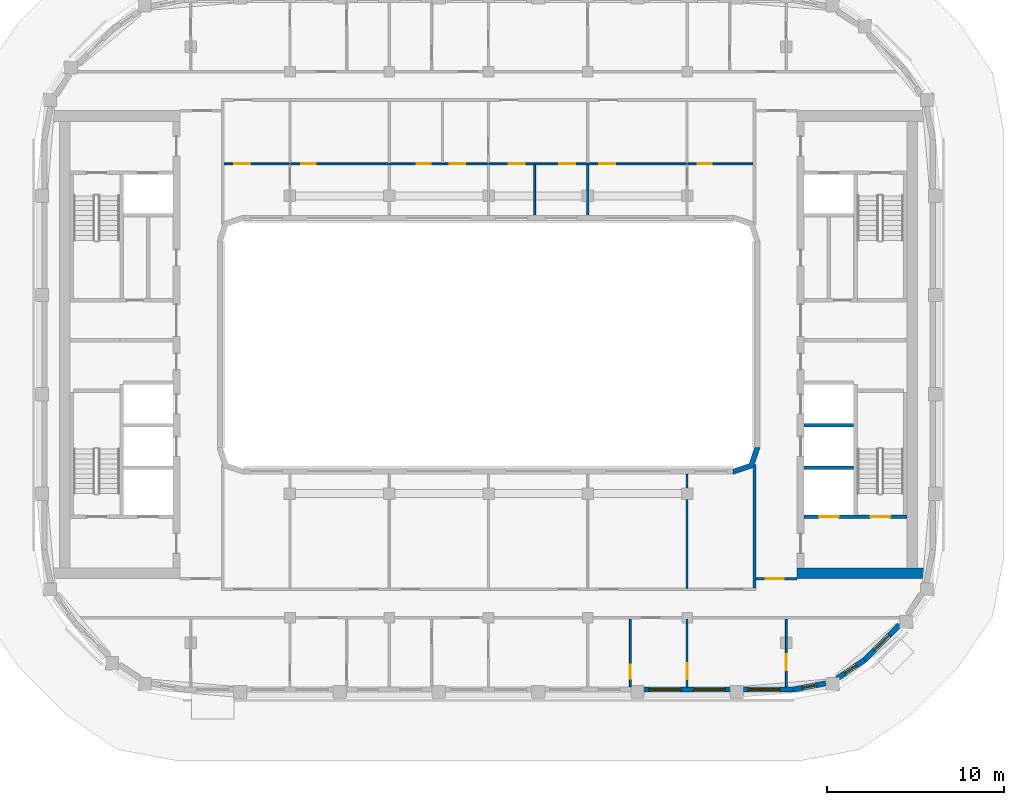
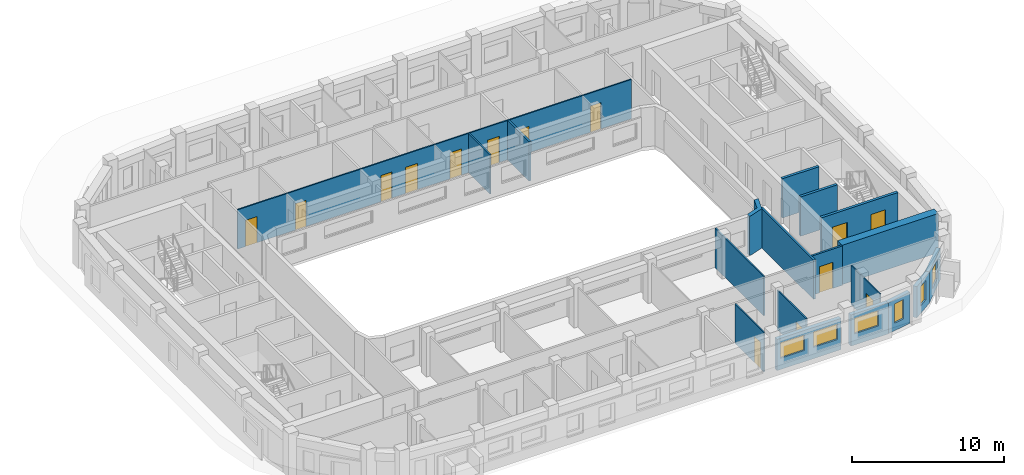
# One storey, part 5 of 14: 19 walls, 14 doors, 6 windows, 20 openings.
"""IFC4 building model written with IfcOpenShell, lengths in metres."""

from ifc_helpers import new_model, si_unit, direction, frame, frame_2d, origin, place, context, subcontext, project, spatial, polyline, rectangle, outline, extrude, material, layer, layer_set, type_object, element, fill, save


model = new_model("IFC4")

# Units and contexts
model_context = context("Model", 3, precision=1e-05, world=origin(), true_north=direction((0.0, 1.0)))
body_context = subcontext(model_context, "Body", "Model", "MODEL_VIEW")
ifc_project = project(units=[si_unit("LENGTHUNIT", "METRE"), si_unit("AREAUNIT", "SQUARE_METRE"), si_unit("VOLUMEUNIT", "CUBIC_METRE"), si_unit("PLANEANGLEUNIT", "RADIAN"), si_unit("MASSUNIT", "GRAM", prefix="KILO")], contexts=[model_context])

# Site, building, storey
site_placement = place(None, origin())
site = spatial("IfcSite", under=ifc_project, at=site_placement, CompositionType="ELEMENT")
building_placement = place(site_placement, origin())
building = spatial("IfcBuilding", under=site, at=building_placement, Name="Kiln Ring Residences", CompositionType="ELEMENT")
storey_placement = place(building_placement, frame((0.0, 0.0, 280.199951171875)))
storey = spatial("IfcBuildingStorey", under=building, at=storey_placement, Name="L73", CompositionType="ELEMENT", Elevation=280.199951171875)

# Walls
ifc_material_1 = material(Name="Gypsum shaft wall system")
ifc_layer_1 = layer(ifc_material_1, 0.199951171875)
ifc_layer_set_1 = layer_set([ifc_layer_1], Name="CORE-SHAFT-WALL-200")
wall_type_1 = type_object("IfcWallType", Name="CORE-SHAFT-WALL-200", PredefinedType="PARTITIONING", material=ifc_layer_set_1)
for number, where, z_axis, x_axis, name in (
    (1, (17.800048828125, -6.949951171875, 0.0), (0.0, 0.0, 1.0), (1.0, 0.0, 0.0), "Core partition east L73 3"),
    (2, (17.800048828125, -4.550048828125, 0.0), (0.0, 0.0, 1.0), (1.0, 0.0, 0.0), "Core partition east L73 4"),
):
    element("IfcWall", number, at=place(storey_placement, frame(where, z_axis=z_axis, x_axis=x_axis)), inside=storey, type_object=wall_type_1, Name=name, PredefinedType="PARTITIONING", context=body_context, shape_type="SweptSolid", body=[
        extrude(rectangle(XDim=2.800048828125, YDim=0.199951171875, at=frame_2d((1.39990234375, 0.0))), origin(), (0.0, 0.0, 1.0), 3.150146484375),
    ])

# Wall, openings, doors
ifc_material_2 = material(Name="Concrete C40/50", Category="concrete")
ifc_layer_2 = layer(ifc_material_2, 0.199951171875)
ifc_layer_set_2 = layer_set([ifc_layer_2], Name="CORE-WALL-RC200")
wall_type_2 = type_object("IfcWallType", Name="CORE-WALL-RC200", PredefinedType="SHEAR", material=ifc_layer_set_2)
wall_1_placement = place(storey_placement, frame((17.800048828125, -9.699951171875, 0.0), z_axis=(0.0, 0.0, 1.0), x_axis=(1.0, 0.0, 0.0)))
wall_1 = element("IfcWall", 3, at=wall_1_placement, inside=storey, type_object=wall_type_2, Name="Core wall east L73 8", PredefinedType="SHEAR", context=body_context, shape_type="SweptSolid", body=[
    extrude(rectangle(XDim=5.800048828125, YDim=0.199951171875, at=frame_2d((2.89990234375, 0.0))), origin(), (0.0, 0.0, 1.0), 3.150146484375),
])
opening_1_placement = place(wall_1_placement, frame((0.85009765625, 0.0, 0.0)))
opening_1 = element("IfcOpeningElement", 4, at=opening_1_placement, cuts=wall_1, Name="Opening L73-CE01", PredefinedType="OPENING", context=body_context, shape_type="SweptSolid", body=[
    extrude(rectangle(XDim=1.10009765625, YDim=2.10009765625, at=frame_2d((0.550048828125, 1.050048828125))), frame((0.0, 0.10986328125, 0.0), z_axis=(0.0, -1.0, 0.0), x_axis=(1.0, 0.0, 0.0)), (0.0, 0.0, 1.0), 0.219970703125),
])
opening_2_placement = place(wall_1_placement, frame((3.75, 0.0, 0.0)))
opening_2 = element("IfcOpeningElement", 5, at=opening_2_placement, cuts=wall_1, Name="Opening L73-CE11", PredefinedType="OPENING", context=body_context, shape_type="SweptSolid", body=[
    extrude(rectangle(XDim=1.10009765625, YDim=2.10009765625, at=frame_2d((0.550048828125, 1.050048828125))), frame((0.0, 0.10986328125, 0.0), z_axis=(0.0, -1.0, 0.0), x_axis=(1.0, 0.0, 0.0)), (0.0, 0.0, 1.0), 0.219970703125),
])
ifc_material_3 = material(Name="Steel door leaf", Category="steel")
door_type_1 = type_object("IfcDoorType", Name="CORE-DOOR-LD", OperationType="DOUBLE_DOOR_SLIDING", PredefinedType="DOOR", material=ifc_material_3)
door_1_placement = place(opening_1_placement, origin())
door_1 = element("IfcDoor", 6, at=door_1_placement, inside=storey, type_object=door_type_1, Name="LD E-SV L73-CE01", OperationType="DOUBLE_DOOR_SLIDING", OverallHeight=2.10009765625, OverallWidth=1.10009765625, PredefinedType="DOOR", context=body_context, shape_type="SweptSolid", body=[
    extrude(rectangle(XDim=1.10009765625, YDim=2.10009765625, at=frame_2d((0.550048828125, 1.050048828125))), frame((0.0, 0.02490234375, 0.0), z_axis=(0.0, -1.0, 0.0), x_axis=(1.0, 0.0, 0.0)), (0.0, 0.0, 1.0), 0.050048828125),
])
fill(opening_1, door_1)
ifc_material_4 = material(Name="Steel door leaf", Category="steel")
door_type_2 = type_object("IfcDoorType", Name="CORE-DOOR-STAIR", OperationType="SINGLE_SWING_LEFT", PredefinedType="DOOR", material=ifc_material_4)
door_2_placement = place(opening_2_placement, origin())
door_2 = element("IfcDoor", 7, at=door_2_placement, inside=storey, type_object=door_type_2, Name="Stair E-STS L73-CE11", OperationType="SINGLE_SWING_LEFT", OverallHeight=2.10009765625, OverallWidth=1.10009765625, PredefinedType="DOOR", context=body_context, shape_type="SweptSolid", body=[
    extrude(rectangle(XDim=1.10009765625, YDim=2.10009765625, at=frame_2d((0.550048828125, 1.050048828125))), frame((0.0, 0.02490234375, 0.0), z_axis=(0.0, -1.0, 0.0), x_axis=(1.0, 0.0, 0.0)), (0.0, 0.0, 1.0), 0.050048828125),
])
fill(opening_2, door_2)

# Wall
ifc_material_5 = material(Name="Concrete C60/75", Category="concrete")
ifc_layer_3 = layer(ifc_material_5, 0.60009765625)
ifc_layer_set_3 = layer_set([ifc_layer_3], Name="CORE-WALL-RC600")
wall_type_3 = type_object("IfcWallType", Name="CORE-WALL-RC600", PredefinedType="SHEAR", material=ifc_layer_set_3)
wall_2_placement = place(storey_placement, frame((17.39990234375, -12.89990234375, 0.0), z_axis=(0.0, 0.0, 1.0), x_axis=(1.0, 0.0, 0.0)))
element("IfcWall", 8, at=wall_2_placement, inside=storey, type_object=wall_type_3, Name="Core wall east L73 5", PredefinedType="SHEAR", context=body_context, shape_type="SweptSolid", body=[
    extrude(rectangle(XDim=7.320068359375, YDim=0.60009765625, at=frame_2d((3.66015625, 0.0))), origin(), (0.0, 0.0, 1.0), 3.150146484375),
])

# Wall, openings, windows
ifc_material_6 = material(Name="Brick masonry, dark clay brick", Category="masonry")
ifc_layer_4 = layer(ifc_material_6, 0.300048828125)
ifc_layer_set_4 = layer_set([ifc_layer_4], Name="EW-300 BRICK WALL")
wall_type_4 = type_object("IfcWallType", Name="EW-300 BRICK WALL", PredefinedType="SOLIDWALL", material=ifc_layer_set_4)
wall_3_placement = place(storey_placement, frame((8.77490234375, -19.449951171875, 0.0), z_axis=(0.0, 0.0, 1.0), x_axis=(1.0, 0.0, 0.0)))
wall_3 = element("IfcWall", 9, at=wall_3_placement, inside=storey, type_object=wall_type_4, Name="Facade wall L73 9", PredefinedType="SOLIDWALL", context=body_context, shape_type="SweptSolid", body=[
    extrude(rectangle(XDim=4.85009765625, YDim=0.300048828125, at=frame_2d((2.425048828125, 0.0))), origin(), (0.0, 0.0, 1.0), 2.5),
])
opening_3_placement = place(wall_3_placement, frame((0.27490234375, 0.0, 0.89990234375)))
opening_3 = element("IfcOpeningElement", 10, at=opening_3_placement, cuts=wall_3, Name="Opening W2", PredefinedType="OPENING", context=body_context, shape_type="SweptSolid", body=[
    extrude(rectangle(XDim=1.800048828125, YDim=1.25, at=frame_2d((0.89990234375, 0.625))), frame((0.0, 0.159912109375, 0.0), z_axis=(0.0, -1.0, 0.0), x_axis=(1.0, 0.0, 0.0)), (0.0, 0.0, 1.0), 0.320068359375),
])
opening_4_placement = place(wall_3_placement, frame((2.77490234375, 0.0, 0.89990234375)))
opening_4 = element("IfcOpeningElement", 11, at=opening_4_placement, cuts=wall_3, Name="Opening W2", PredefinedType="OPENING", context=body_context, shape_type="SweptSolid", body=[
    extrude(rectangle(XDim=1.800048828125, YDim=1.25, at=frame_2d((0.89990234375, 0.625))), frame((0.0, 0.159912109375, 0.0), z_axis=(0.0, -1.0, 0.0), x_axis=(1.0, 0.0, 0.0)), (0.0, 0.0, 1.0), 0.320068359375),
])
ifc_material_7 = material(Name="Aluminium frame with double glazing", Category="aluminium")
window_type_1 = type_object("IfcWindowType", Name="WINDOW 1800 x 1250", PartitioningType="SINGLE_PANEL", PredefinedType="WINDOW", material=ifc_material_7)
window_1_placement = place(opening_3_placement, origin())
window_1 = element("IfcWindow", 12, at=window_1_placement, inside=storey, type_object=window_type_1, Name="Window L73 12", OverallHeight=1.25, OverallWidth=1.800048828125, PartitioningType="SINGLE_PANEL", PredefinedType="WINDOW", context=body_context, shape_type="SweptSolid", body=[
    extrude(rectangle(XDim=1.800048828125, YDim=1.25, at=frame_2d((0.89990234375, 0.625))), frame((0.0, 0.030029296875, 0.0), z_axis=(0.0, -1.0, 0.0), x_axis=(1.0, 0.0, 0.0)), (0.0, 0.0, 1.0), 0.06005859375),
])
fill(opening_3, window_1)
window_2_placement = place(opening_4_placement, origin())
window_2 = element("IfcWindow", 13, at=window_2_placement, inside=storey, type_object=window_type_1, Name="Window L73 13", OverallHeight=1.25, OverallWidth=1.800048828125, PartitioningType="SINGLE_PANEL", PredefinedType="WINDOW", context=body_context, shape_type="SweptSolid", body=[
    extrude(rectangle(XDim=1.800048828125, YDim=1.25, at=frame_2d((0.89990234375, 0.625))), frame((0.0, 0.030029296875, 0.0), z_axis=(0.0, -1.0, 0.0), x_axis=(1.0, 0.0, 0.0)), (0.0, 0.0, 1.0), 0.06005859375),
])
fill(opening_4, window_2)

# Wall, opening, window
wall_4_placement = place(storey_placement, frame((14.375, -19.449951171875, 0.0), z_axis=(0.0, 0.0, 1.0), x_axis=(1.0, 0.0, 0.0)))
wall_4 = element("IfcWall", 14, at=wall_4_placement, inside=storey, type_object=wall_type_4, Name="Facade wall L73 10", PredefinedType="SOLIDWALL", context=body_context, shape_type="SweptSolid", body=[
    extrude(rectangle(XDim=2.824951171875, YDim=0.300048828125, at=frame_2d((1.41259765625, 0.0))), origin(), (0.0, 0.0, 1.0), 2.5),
])
opening_5_placement = place(wall_4_placement, frame((0.27490234375, 0.0, 0.89990234375)))
opening_5 = element("IfcOpeningElement", 15, at=opening_5_placement, cuts=wall_4, Name="Opening W2", PredefinedType="OPENING", context=body_context, shape_type="SweptSolid", body=[
    extrude(rectangle(XDim=1.800048828125, YDim=1.25, at=frame_2d((0.89990234375, 0.625))), frame((0.0, 0.159912109375, 0.0), z_axis=(0.0, -1.0, 0.0), x_axis=(1.0, 0.0, 0.0)), (0.0, 0.0, 1.0), 0.320068359375),
])
window_3_placement = place(opening_5_placement, origin())
window_3 = element("IfcWindow", 16, at=window_3_placement, inside=storey, type_object=window_type_1, Name="Window L73 14", OverallHeight=1.25, OverallWidth=1.800048828125, PartitioningType="SINGLE_PANEL", PredefinedType="WINDOW", context=body_context, shape_type="SweptSolid", body=[
    extrude(rectangle(XDim=1.800048828125, YDim=1.25, at=frame_2d((0.89990234375, 0.625))), frame((0.0, 0.030029296875, 0.0), z_axis=(0.0, -1.0, 0.0), x_axis=(1.0, 0.0, 0.0)), (0.0, 0.0, 1.0), 0.06005859375),
])
fill(opening_5, window_3)

wall_5_placement = place(storey_placement, frame((17.171875, -19.45263671875, 0.0), z_axis=(0.0, 0.0, 1.0), x_axis=(0.982284001233, 0.187398348234, 0.0)))
wall_5 = element("IfcWall", 17, at=wall_5_placement, inside=storey, type_object=wall_type_4, Name="Facade wall L73 11", PredefinedType="SOLIDWALL", context=body_context, shape_type="SweptSolid", body=[
    extrude(rectangle(XDim=1.88134765625, YDim=0.300048828125, at=frame_2d((0.940673828125, 0.0))), origin(), (0.0, 0.0, 1.0), 2.5),
])
opening_6_placement = place(wall_5_placement, frame((0.54052734375, 0.0, 0.60009765625)))
opening_6 = element("IfcOpeningElement", 18, at=opening_6_placement, cuts=wall_5, Name="Opening W5", PredefinedType="OPENING", context=body_context, shape_type="SweptSolid", body=[
    extrude(rectangle(XDim=0.800048828125, YDim=1.550048828125, at=frame_2d((0.39990234375, 0.77490234375))), frame((0.0, 0.159912109375, 0.0), z_axis=(0.0, -1.0, 0.0), x_axis=(1.0, 0.0, 0.0)), (0.0, 0.0, 1.0), 0.320068359375),
])
ifc_material_8 = material(Name="Aluminium frame with double glazing", Category="aluminium")
window_type_2 = type_object("IfcWindowType", Name="WINDOW 800 x 1550", PartitioningType="SINGLE_PANEL", PredefinedType="WINDOW", material=ifc_material_8)
window_4_placement = place(opening_6_placement, origin())
window_4 = element("IfcWindow", 19, at=window_4_placement, inside=storey, type_object=window_type_2, Name="Window L73 15", OverallHeight=1.550048828125, OverallWidth=0.800048828125, PartitioningType="SINGLE_PANEL", PredefinedType="WINDOW", context=body_context, shape_type="SweptSolid", body=[
    extrude(rectangle(XDim=0.800048828125, YDim=1.550048828125, at=frame_2d((0.39990234375, 0.77490234375))), frame((0.0, 0.030029296875, 0.0), z_axis=(0.0, -1.0, 0.0), x_axis=(1.0, 0.0, 0.0)), (0.0, 0.0, 1.0), 0.06005859375),
])
fill(opening_6, window_4)

wall_6_placement = place(storey_placement, frame((19.656982421875, -18.836181640625, 0.0), z_axis=(0.0, 0.0, 1.0), x_axis=(0.82704477487, 0.562136051469, 0.0)))
wall_6 = element("IfcWall", 20, at=wall_6_placement, inside=storey, type_object=wall_type_4, Name="Facade wall L73 12", PredefinedType="SOLIDWALL", context=body_context, shape_type="SweptSolid", body=[
    extrude(rectangle(XDim=1.881103515625, YDim=0.300048828125, at=frame_2d((0.9404296875, 0.0))), origin(), (0.0, 0.0, 1.0), 2.5),
])
opening_7_placement = place(wall_6_placement, frame((0.54052734375, 0.0, 0.60009765625)))
opening_7 = element("IfcOpeningElement", 21, at=opening_7_placement, cuts=wall_6, Name="Opening W5", PredefinedType="OPENING", context=body_context, shape_type="SweptSolid", body=[
    extrude(rectangle(XDim=0.800048828125, YDim=1.550048828125, at=frame_2d((0.39990234375, 0.77490234375))), frame((0.0, 0.159912109375, 0.0), z_axis=(0.0, -1.0, 0.0), x_axis=(1.0, 0.0, 0.0)), (0.0, 0.0, 1.0), 0.320068359375),
])
window_5_placement = place(opening_7_placement, origin())
window_5 = element("IfcWindow", 22, at=window_5_placement, inside=storey, type_object=window_type_2, Name="Window L73 16", OverallHeight=1.550048828125, OverallWidth=0.800048828125, PartitioningType="SINGLE_PANEL", PredefinedType="WINDOW", context=body_context, shape_type="SweptSolid", body=[
    extrude(rectangle(XDim=0.800048828125, YDim=1.550048828125, at=frame_2d((0.39990234375, 0.77490234375))), frame((0.0, 0.030029296875, 0.0), z_axis=(0.0, -1.0, 0.0), x_axis=(1.0, 0.0, 0.0)), (0.0, 0.0, 1.0), 0.06005859375),
])
fill(opening_7, window_5)

wall_7_placement = place(storey_placement, frame((21.19091796875, -17.796875, 0.0), z_axis=(0.0, 0.0, 1.0), x_axis=(0.707106781187, 0.707106781187, 0.0)))
wall_7 = element("IfcWall", 23, at=wall_7_placement, inside=storey, type_object=wall_type_4, Name="Facade wall L73 13", PredefinedType="SOLIDWALL", context=body_context, shape_type="SweptSolid", body=[
    extrude(rectangle(XDim=2.824951171875, YDim=0.300048828125, at=frame_2d((1.41259765625, 0.0))), origin(), (0.0, 0.0, 1.0), 2.5),
])
opening_8_placement = place(wall_7_placement, frame((0.8125, 0.0, 0.60009765625)))
opening_8 = element("IfcOpeningElement", 24, at=opening_8_placement, cuts=wall_7, Name="Opening W1", PredefinedType="OPENING", context=body_context, shape_type="SweptSolid", body=[
    extrude(rectangle(XDim=1.199951171875, YDim=1.550048828125, at=frame_2d((0.60009765625, 0.77490234375))), frame((0.0, 0.159912109375, 0.0), z_axis=(0.0, -1.0, 0.0), x_axis=(1.0, 0.0, 0.0)), (0.0, 0.0, 1.0), 0.320068359375),
])
ifc_material_9 = material(Name="Aluminium frame with double glazing", Category="aluminium")
window_type_3 = type_object("IfcWindowType", Name="WINDOW 1200 x 1550", PartitioningType="SINGLE_PANEL", PredefinedType="WINDOW", material=ifc_material_9)
window_6_placement = place(opening_8_placement, origin())
window_6 = element("IfcWindow", 25, at=window_6_placement, inside=storey, type_object=window_type_3, Name="Window L73 17", OverallHeight=1.550048828125, OverallWidth=1.199951171875, PartitioningType="SINGLE_PANEL", PredefinedType="WINDOW", context=body_context, shape_type="SweptSolid", body=[
    extrude(rectangle(XDim=1.199951171875, YDim=1.550048828125, at=frame_2d((0.60009765625, 0.77490234375))), frame((0.0, 0.030029296875, 0.0), z_axis=(0.0, -1.0, 0.0), x_axis=(1.0, 0.0, 0.0)), (0.0, 0.0, 1.0), 0.06005859375),
])
fill(opening_8, window_6)

# Wall
wall_8_placement = place(storey_placement, origin())
element("IfcWall", 26, at=wall_8_placement, inside=storey, type_object=wall_type_4, Name="Corner wall L73 3", PredefinedType="SOLIDWALL", context=body_context, shape_type="SweptSolid", body=[
    extrude(outline(polyline([(14.937255859375, -6.937255859375), (15.300048828125, -5.8486328125), (15.300048828125, -5.800048828125), (15.0, -5.800048828125), (14.699951171875, -6.699951171875), (13.800048828125, -7.0), (13.800048828125, -7.300048828125), (13.8486328125, -7.300048828125), (14.937255859375, -6.937255859375)])), origin(), (0.0, 0.0, 1.0), 3.150146484375),
])

# Wall, openings, doors
ifc_material_10 = material(Name="Gypsum board on steel studs", Category="steel")
ifc_layer_5 = layer(ifc_material_10, 0.10009765625)
ifc_layer_set_5 = layer_set([ifc_layer_5], Name="PARTITION-100")
wall_type_5 = type_object("IfcWallType", Name="PARTITION-100", PredefinedType="PARTITIONING", material=ifc_layer_set_5)
wall_9_placement = place(storey_placement, frame((-14.925048828125, 10.199951171875, 0.0), z_axis=(0.0, 0.0, 1.0), x_axis=(1.0, 0.0, 0.0)))
wall_9 = element("IfcWall", 27, at=wall_9_placement, inside=storey, type_object=wall_type_5, Name="Partition 004", PredefinedType="PARTITIONING", context=body_context, shape_type="SweptSolid", body=[
    extrude(rectangle(XDim=29.85009765625, YDim=0.10009765625, at=frame_2d((14.925048828125, 0.0))), origin(), (0.0, 0.0, 1.0), 3.150146484375),
])
opening_9_placement = place(wall_9_placement, frame((4.375, 0.0, 0.0)))
opening_9 = element("IfcOpeningElement", 28, at=opening_9_placement, cuts=wall_9, Name="Opening L73-D006", PredefinedType="OPENING", context=body_context, shape_type="SweptSolid", body=[
    extrude(rectangle(XDim=0.800048828125, YDim=2.10009765625, at=frame_2d((0.39990234375, 1.050048828125))), frame((0.0, 0.06005859375, 0.0), z_axis=(0.0, -1.0, 0.0), x_axis=(1.0, 0.0, 0.0)), (0.0, 0.0, 1.0), 0.1201171875),
])
opening_10_placement = place(wall_9_placement, frame((0.575927734375, 0.0, 0.0)))
opening_10 = element("IfcOpeningElement", 29, at=opening_10_placement, cuts=wall_9, Name="Opening L73-D007", PredefinedType="OPENING", context=body_context, shape_type="SweptSolid", body=[
    extrude(rectangle(XDim=0.89990234375, YDim=2.10009765625, at=frame_2d((0.449951171875, 1.050048828125))), frame((0.0, 0.06005859375, 0.0), z_axis=(0.0, -1.0, 0.0), x_axis=(1.0, 0.0, 0.0)), (0.0, 0.0, 1.0), 0.1201171875),
])
opening_11_placement = place(wall_9_placement, frame((10.875, 0.0, 0.0)))
opening_11 = element("IfcOpeningElement", 30, at=opening_11_placement, cuts=wall_9, Name="Opening L73-D011", PredefinedType="OPENING", context=body_context, shape_type="SweptSolid", body=[
    extrude(rectangle(XDim=0.800048828125, YDim=2.10009765625, at=frame_2d((0.39990234375, 1.050048828125))), frame((0.0, 0.06005859375, 0.0), z_axis=(0.0, -1.0, 0.0), x_axis=(1.0, 0.0, 0.0)), (0.0, 0.0, 1.0), 0.1201171875),
])
opening_12_placement = place(wall_9_placement, frame((12.72509765625, 0.0, 0.0)))
opening_12 = element("IfcOpeningElement", 31, at=opening_12_placement, cuts=wall_9, Name="Opening L73-D012", PredefinedType="OPENING", context=body_context, shape_type="SweptSolid", body=[
    extrude(rectangle(XDim=0.89990234375, YDim=2.10009765625, at=frame_2d((0.449951171875, 1.050048828125))), frame((0.0, 0.06005859375, 0.0), z_axis=(0.0, -1.0, 0.0), x_axis=(1.0, 0.0, 0.0)), (0.0, 0.0, 1.0), 0.1201171875),
])
opening_13_placement = place(wall_9_placement, frame((16.074951171875, 0.0, 0.0)))
opening_13 = element("IfcOpeningElement", 32, at=opening_13_placement, cuts=wall_9, Name="Opening L73-D013", PredefinedType="OPENING", context=body_context, shape_type="SweptSolid", body=[
    extrude(rectangle(XDim=0.89990234375, YDim=2.10009765625, at=frame_2d((0.449951171875, 1.050048828125))), frame((0.0, 0.06005859375, 0.0), z_axis=(0.0, -1.0, 0.0), x_axis=(1.0, 0.0, 0.0)), (0.0, 0.0, 1.0), 0.1201171875),
])
opening_14_placement = place(wall_9_placement, frame((18.925048828125, 0.0, 0.0)))
opening_14 = element("IfcOpeningElement", 33, at=opening_14_placement, cuts=wall_9, Name="Opening L73-D014", PredefinedType="OPENING", context=body_context, shape_type="SweptSolid", body=[
    extrude(rectangle(XDim=0.89990234375, YDim=2.10009765625, at=frame_2d((0.449951171875, 1.050048828125))), frame((0.0, 0.06005859375, 0.0), z_axis=(0.0, -1.0, 0.0), x_axis=(1.0, 0.0, 0.0)), (0.0, 0.0, 1.0), 0.1201171875),
])
opening_15_placement = place(wall_9_placement, frame((26.72412109375, 0.0, 0.0)))
opening_15 = element("IfcOpeningElement", 34, at=opening_15_placement, cuts=wall_9, Name="Opening L73-D016", PredefinedType="OPENING", context=body_context, shape_type="SweptSolid", body=[
    extrude(rectangle(XDim=0.800048828125, YDim=2.10009765625, at=frame_2d((0.39990234375, 1.050048828125))), frame((0.0, 0.06005859375, 0.0), z_axis=(0.0, -1.0, 0.0), x_axis=(1.0, 0.0, 0.0)), (0.0, 0.0, 1.0), 0.1201171875),
])
opening_16_placement = place(wall_9_placement, frame((21.175048828125, 0.0, 0.0)))
opening_16 = element("IfcOpeningElement", 35, at=opening_16_placement, cuts=wall_9, Name="Opening L73-D017", PredefinedType="OPENING", context=body_context, shape_type="SweptSolid", body=[
    extrude(rectangle(XDim=0.89990234375, YDim=2.10009765625, at=frame_2d((0.449951171875, 1.050048828125))), frame((0.0, 0.06005859375, 0.0), z_axis=(0.0, -1.0, 0.0), x_axis=(1.0, 0.0, 0.0)), (0.0, 0.0, 1.0), 0.1201171875),
])
ifc_material_11 = material(Name="Timber door leaf", Category="wood")
door_type_3 = type_object("IfcDoorType", Name="FLAT-DOOR-800-PL", OperationType="SINGLE_SWING_LEFT", PredefinedType="DOOR", material=ifc_material_11)
door_3_placement = place(opening_9_placement, origin())
door_3 = element("IfcDoor", 36, at=door_3_placement, inside=storey, type_object=door_type_3, Name="Door L73-D006", OperationType="SINGLE_SWING_RIGHT", OverallHeight=2.10009765625, OverallWidth=0.800048828125, PredefinedType="DOOR", context=body_context, shape_type="SweptSolid", body=[
    extrude(rectangle(XDim=0.800048828125, YDim=2.10009765625, at=frame_2d((0.39990234375, 1.050048828125))), frame((0.0, 0.02490234375, 0.0), z_axis=(0.0, -1.0, 0.0), x_axis=(1.0, 0.0, 0.0)), (0.0, 0.0, 1.0), 0.050048828125),
])
fill(opening_9, door_3)
door_4_placement = place(opening_11_placement, origin())
door_4 = element("IfcDoor", 37, at=door_4_placement, inside=storey, type_object=door_type_3, Name="Door L73-D011", OperationType="SINGLE_SWING_LEFT", OverallHeight=2.10009765625, OverallWidth=0.800048828125, PredefinedType="DOOR", context=body_context, shape_type="SweptSolid", body=[
    extrude(rectangle(XDim=0.800048828125, YDim=2.10009765625, at=frame_2d((0.39990234375, 1.050048828125))), frame((0.0, 0.02490234375, 0.0), z_axis=(0.0, -1.0, 0.0), x_axis=(1.0, 0.0, 0.0)), (0.0, 0.0, 1.0), 0.050048828125),
])
fill(opening_11, door_4)
door_5_placement = place(opening_15_placement, origin())
door_5 = element("IfcDoor", 38, at=door_5_placement, inside=storey, type_object=door_type_3, Name="Door L73-D016", OperationType="SINGLE_SWING_RIGHT", OverallHeight=2.10009765625, OverallWidth=0.800048828125, PredefinedType="DOOR", context=body_context, shape_type="SweptSolid", body=[
    extrude(rectangle(XDim=0.800048828125, YDim=2.10009765625, at=frame_2d((0.39990234375, 1.050048828125))), frame((0.0, 0.02490234375, 0.0), z_axis=(0.0, -1.0, 0.0), x_axis=(1.0, 0.0, 0.0)), (0.0, 0.0, 1.0), 0.050048828125),
])
fill(opening_15, door_5)
ifc_material_12 = material(Name="Timber door leaf", Category="wood")
door_type_4 = type_object("IfcDoorType", Name="FLAT-DOOR-900-PL", OperationType="SINGLE_SWING_LEFT", PredefinedType="DOOR", material=ifc_material_12)
door_6_placement = place(opening_10_placement, origin())
door_6 = element("IfcDoor", 39, at=door_6_placement, inside=storey, type_object=door_type_4, Name="Door L73-D007", OperationType="SINGLE_SWING_LEFT", OverallHeight=2.10009765625, OverallWidth=0.89990234375, PredefinedType="DOOR", context=body_context, shape_type="SweptSolid", body=[
    extrude(rectangle(XDim=0.89990234375, YDim=2.10009765625, at=frame_2d((0.449951171875, 1.050048828125))), frame((0.0, 0.02490234375, 0.0), z_axis=(0.0, -1.0, 0.0), x_axis=(1.0, 0.0, 0.0)), (0.0, 0.0, 1.0), 0.050048828125),
])
fill(opening_10, door_6)
door_7_placement = place(opening_12_placement, origin())
door_7 = element("IfcDoor", 40, at=door_7_placement, inside=storey, type_object=door_type_4, Name="Door L73-D012", OperationType="SINGLE_SWING_LEFT", OverallHeight=2.10009765625, OverallWidth=0.89990234375, PredefinedType="DOOR", context=body_context, shape_type="SweptSolid", body=[
    extrude(rectangle(XDim=0.89990234375, YDim=2.10009765625, at=frame_2d((0.449951171875, 1.050048828125))), frame((0.0, 0.02490234375, 0.0), z_axis=(0.0, -1.0, 0.0), x_axis=(1.0, 0.0, 0.0)), (0.0, 0.0, 1.0), 0.050048828125),
])
fill(opening_12, door_7)
door_8_placement = place(opening_13_placement, origin())
door_8 = element("IfcDoor", 41, at=door_8_placement, inside=storey, type_object=door_type_4, Name="Door L73-D013", OperationType="SINGLE_SWING_RIGHT", OverallHeight=2.10009765625, OverallWidth=0.89990234375, PredefinedType="DOOR", context=body_context, shape_type="SweptSolid", body=[
    extrude(rectangle(XDim=0.89990234375, YDim=2.10009765625, at=frame_2d((0.449951171875, 1.050048828125))), frame((0.0, 0.02490234375, 0.0), z_axis=(0.0, -1.0, 0.0), x_axis=(1.0, 0.0, 0.0)), (0.0, 0.0, 1.0), 0.050048828125),
])
fill(opening_13, door_8)
door_9_placement = place(opening_14_placement, origin())
door_9 = element("IfcDoor", 42, at=door_9_placement, inside=storey, type_object=door_type_4, Name="Door L73-D014", OperationType="SINGLE_SWING_RIGHT", OverallHeight=2.10009765625, OverallWidth=0.89990234375, PredefinedType="DOOR", context=body_context, shape_type="SweptSolid", body=[
    extrude(rectangle(XDim=0.89990234375, YDim=2.10009765625, at=frame_2d((0.449951171875, 1.050048828125))), frame((0.0, 0.02490234375, 0.0), z_axis=(0.0, -1.0, 0.0), x_axis=(1.0, 0.0, 0.0)), (0.0, 0.0, 1.0), 0.050048828125),
])
fill(opening_14, door_9)
door_10_placement = place(opening_16_placement, origin())
door_10 = element("IfcDoor", 43, at=door_10_placement, inside=storey, type_object=door_type_4, Name="Door L73-D017", OperationType="SINGLE_SWING_LEFT", OverallHeight=2.10009765625, OverallWidth=0.89990234375, PredefinedType="DOOR", context=body_context, shape_type="SweptSolid", body=[
    extrude(rectangle(XDim=0.89990234375, YDim=2.10009765625, at=frame_2d((0.449951171875, 1.050048828125))), frame((0.0, 0.02490234375, 0.0), z_axis=(0.0, -1.0, 0.0), x_axis=(1.0, 0.0, 0.0)), (0.0, 0.0, 1.0), 0.050048828125),
])
fill(opening_16, door_10)

# Wall
wall_10_placement = place(storey_placement, frame((2.60009765625, 7.320068359375, 0.0), z_axis=(0.0, 0.0, 1.0), x_axis=(0.0, 1.0, 0.0)))
element("IfcWall", 44, at=wall_10_placement, inside=storey, type_object=wall_type_5, Name="Partition 033", PredefinedType="PARTITIONING", context=body_context, shape_type="SweptSolid", body=[
    extrude(rectangle(XDim=2.829833984375, YDim=0.10009765625, at=frame_2d((1.4150390625, 0.0))), origin(), (0.0, 0.0, 1.0), 3.150146484375),
])

# Wall, opening, door
wall_11_placement = place(storey_placement, frame((8.0, -19.280029296875, 0.0), z_axis=(0.0, 0.0, 1.0), x_axis=(0.0, 1.0, 0.0)))
wall_11 = element("IfcWall", 45, at=wall_11_placement, inside=storey, type_object=wall_type_5, Name="Partition 039", PredefinedType="PARTITIONING", context=body_context, shape_type="SweptSolid", body=[
    extrude(rectangle(XDim=3.804931640625, YDim=0.10009765625, at=frame_2d((1.90234375, 0.0))), origin(), (0.0, 0.0, 1.0), 3.150146484375),
])
opening_17_placement = place(wall_11_placement, frame((0.428955078125, 0.0, 0.0)))
opening_17 = element("IfcOpeningElement", 46, at=opening_17_placement, cuts=wall_11, Name="Opening L73-D044", PredefinedType="OPENING", context=body_context, shape_type="SweptSolid", body=[
    extrude(rectangle(XDim=0.800048828125, YDim=2.10009765625, at=frame_2d((0.39990234375, 1.050048828125))), frame((0.0, 0.06005859375, 0.0), z_axis=(0.0, -1.0, 0.0), x_axis=(1.0, 0.0, 0.0)), (0.0, 0.0, 1.0), 0.1201171875),
])
door_11_placement = place(opening_17_placement, origin())
door_11 = element("IfcDoor", 47, at=door_11_placement, inside=storey, type_object=door_type_3, Name="Door L73-D044", OperationType="SINGLE_SWING_RIGHT", OverallHeight=2.10009765625, OverallWidth=0.800048828125, PredefinedType="DOOR", context=body_context, shape_type="SweptSolid", body=[
    extrude(rectangle(XDim=0.800048828125, YDim=2.10009765625, at=frame_2d((0.39990234375, 1.050048828125))), frame((0.0, 0.02490234375, 0.0), z_axis=(0.0, -1.0, 0.0), x_axis=(1.0, 0.0, 0.0)), (0.0, 0.0, 1.0), 0.050048828125),
])
fill(opening_17, door_11)

wall_12_placement = place(storey_placement, frame((11.199951171875, -19.280029296875, 0.0), z_axis=(0.0, 0.0, 1.0), x_axis=(0.0, 1.0, 0.0)))
wall_12 = element("IfcWall", 48, at=wall_12_placement, inside=storey, type_object=wall_type_5, Name="Partition 040", PredefinedType="PARTITIONING", context=body_context, shape_type="SweptSolid", body=[
    extrude(rectangle(XDim=3.804931640625, YDim=0.10009765625, at=frame_2d((1.90234375, 0.0))), origin(), (0.0, 0.0, 1.0), 3.150146484375),
])
opening_18_placement = place(wall_12_placement, frame((0.419921875, 0.0, 0.0)))
opening_18 = element("IfcOpeningElement", 49, at=opening_18_placement, cuts=wall_12, Name="Opening L73-D045", PredefinedType="OPENING", context=body_context, shape_type="SweptSolid", body=[
    extrude(rectangle(XDim=0.89990234375, YDim=2.10009765625, at=frame_2d((0.449951171875, 1.050048828125))), frame((0.0, 0.06005859375, 0.0), z_axis=(0.0, -1.0, 0.0), x_axis=(1.0, 0.0, 0.0)), (0.0, 0.0, 1.0), 0.1201171875),
])
door_12_placement = place(opening_18_placement, origin())
door_12 = element("IfcDoor", 50, at=door_12_placement, inside=storey, type_object=door_type_4, Name="Door L73-D045", OperationType="SINGLE_SWING_LEFT", OverallHeight=2.10009765625, OverallWidth=0.89990234375, PredefinedType="DOOR", context=body_context, shape_type="SweptSolid", body=[
    extrude(rectangle(XDim=0.89990234375, YDim=2.10009765625, at=frame_2d((0.449951171875, 1.050048828125))), frame((0.0, 0.02490234375, 0.0), z_axis=(0.0, -1.0, 0.0), x_axis=(1.0, 0.0, 0.0)), (0.0, 0.0, 1.0), 0.050048828125),
])
fill(opening_18, door_12)

# Wall
wall_13_placement = place(storey_placement, frame((11.199951171875, -13.72509765625, 0.0), z_axis=(0.0, 0.0, 1.0), x_axis=(0.0, 1.0, 0.0)))
element("IfcWall", 51, at=wall_13_placement, inside=storey, type_object=wall_type_5, Name="Partition 041", PredefinedType="PARTITIONING", context=body_context, shape_type="SweptSolid", body=[
    extrude(rectangle(XDim=6.405029296875, YDim=0.10009765625, at=frame_2d((3.20263671875, 0.0))), origin(), (0.0, 0.0, 1.0), 3.150146484375),
])

# Wall, opening, door
wall_14_placement = place(storey_placement, frame((16.800048828125, -19.280029296875, 0.0), z_axis=(0.0, 0.0, 1.0), x_axis=(0.0, 1.0, 0.0)))
wall_14 = element("IfcWall", 52, at=wall_14_placement, inside=storey, type_object=wall_type_5, Name="Partition 048", PredefinedType="PARTITIONING", context=body_context, shape_type="SweptSolid", body=[
    extrude(rectangle(XDim=3.804931640625, YDim=0.10009765625, at=frame_2d((1.90234375, 0.0))), origin(), (0.0, 0.0, 1.0), 3.150146484375),
])
opening_19_placement = place(wall_14_placement, frame((0.919921875, 0.0, 0.0)))
opening_19 = element("IfcOpeningElement", 53, at=opening_19_placement, cuts=wall_14, Name="Opening L73-D046", PredefinedType="OPENING", context=body_context, shape_type="SweptSolid", body=[
    extrude(rectangle(XDim=0.89990234375, YDim=2.10009765625, at=frame_2d((0.449951171875, 1.050048828125))), frame((0.0, 0.06005859375, 0.0), z_axis=(0.0, -1.0, 0.0), x_axis=(1.0, 0.0, 0.0)), (0.0, 0.0, 1.0), 0.1201171875),
])
door_13_placement = place(opening_19_placement, origin())
door_13 = element("IfcDoor", 54, at=door_13_placement, inside=storey, type_object=door_type_4, Name="Door L73-D046", OperationType="SINGLE_SWING_LEFT", OverallHeight=2.10009765625, OverallWidth=0.89990234375, PredefinedType="DOOR", context=body_context, shape_type="SweptSolid", body=[
    extrude(rectangle(XDim=0.89990234375, YDim=2.10009765625, at=frame_2d((0.449951171875, 1.050048828125))), frame((0.0, 0.02490234375, 0.0), z_axis=(0.0, -1.0, 0.0), x_axis=(1.0, 0.0, 0.0)), (0.0, 0.0, 1.0), 0.050048828125),
])
fill(opening_19, door_13)

ifc_material_13 = material(Name="Brick masonry partition", Category="masonry")
ifc_layer_6 = layer(ifc_material_13, 0.14990234375)
ifc_layer_set_6 = layer_set([ifc_layer_6], Name="PARTITION-150-ei60")
wall_type_6 = type_object("IfcWallType", Name="PARTITION-150-ei60", PredefinedType="PARTITIONING", material=ifc_layer_set_6)
wall_15_placement = place(storey_placement, frame((15.074951171875, -13.199951171875, 0.0), z_axis=(0.0, 0.0, 1.0), x_axis=(1.0, 0.0, 0.0)))
wall_15 = element("IfcWall", 55, at=wall_15_placement, inside=storey, type_object=wall_type_6, Name="Partition 003", PredefinedType="PARTITIONING", context=body_context, shape_type="SweptSolid", body=[
    extrude(rectangle(XDim=2.324951171875, YDim=0.14990234375, at=frame_2d((1.16259765625, 0.0))), origin(), (0.0, 0.0, 1.0), 3.150146484375),
])
opening_20_placement = place(wall_15_placement, frame((0.574951171875, 0.0, 0.0)))
opening_20 = element("IfcOpeningElement", 56, at=opening_20_placement, cuts=wall_15, Name="Opening L73-D004", PredefinedType="OPENING", context=body_context, shape_type="SweptSolid", body=[
    extrude(rectangle(XDim=1.0, YDim=2.10009765625, at=frame_2d((0.5, 1.050048828125))), frame((0.0, 0.0849609375, 0.0), z_axis=(0.0, -1.0, 0.0), x_axis=(1.0, 0.0, 0.0)), (0.0, 0.0, 1.0), 0.169921875),
])
ifc_material_14 = material(Name="Steel faced fire door leaf", Category="steel")
door_type_5 = type_object("IfcDoorType", Name="FLAT-DOOR-1000-FR", OperationType="SINGLE_SWING_LEFT", PredefinedType="DOOR", material=ifc_material_14)
door_14_placement = place(opening_20_placement, origin())
door_14 = element("IfcDoor", 57, at=door_14_placement, inside=storey, type_object=door_type_5, Name="Door L73-D004", OperationType="SINGLE_SWING_LEFT", OverallHeight=2.10009765625, OverallWidth=1.0, PredefinedType="DOOR", context=body_context, shape_type="SweptSolid", body=[
    extrude(rectangle(XDim=1.0, YDim=2.10009765625, at=frame_2d((0.5, 1.050048828125))), frame((0.0, 0.02490234375, 0.0), z_axis=(0.0, -1.0, 0.0), x_axis=(1.0, 0.0, 0.0)), (0.0, 0.0, 1.0), 0.050048828125),
])
fill(opening_20, door_14)

# Walls
wall_16_placement = place(storey_placement, frame((5.60009765625, 7.320068359375, 0.0), z_axis=(0.0, 0.0, 1.0), x_axis=(0.0, 1.0, 0.0)))
element("IfcWall", 58, at=wall_16_placement, inside=storey, type_object=wall_type_6, Name="Partition 037", PredefinedType="PARTITIONING", context=body_context, shape_type="SweptSolid", body=[
    extrude(rectangle(XDim=2.829833984375, YDim=0.14990234375, at=frame_2d((1.4150390625, 0.0))), origin(), (0.0, 0.0, 1.0), 3.150146484375),
])
wall_17_placement = place(storey_placement, frame((15.0, -13.72509765625, 0.0), z_axis=(0.0, 0.0, 1.0), x_axis=(0.0, 1.0, 0.0)))
element("IfcWall", 59, at=wall_17_placement, inside=storey, type_object=wall_type_6, Name="Partition 046", PredefinedType="PARTITIONING", context=body_context, shape_type="SweptSolid", body=[
    extrude(rectangle(XDim=6.956298828125, YDim=0.14990234375, at=frame_2d((3.47802734375, 0.0))), origin(), (0.0, 0.0, 1.0), 3.150146484375),
])

save(model, "model.ifc")
